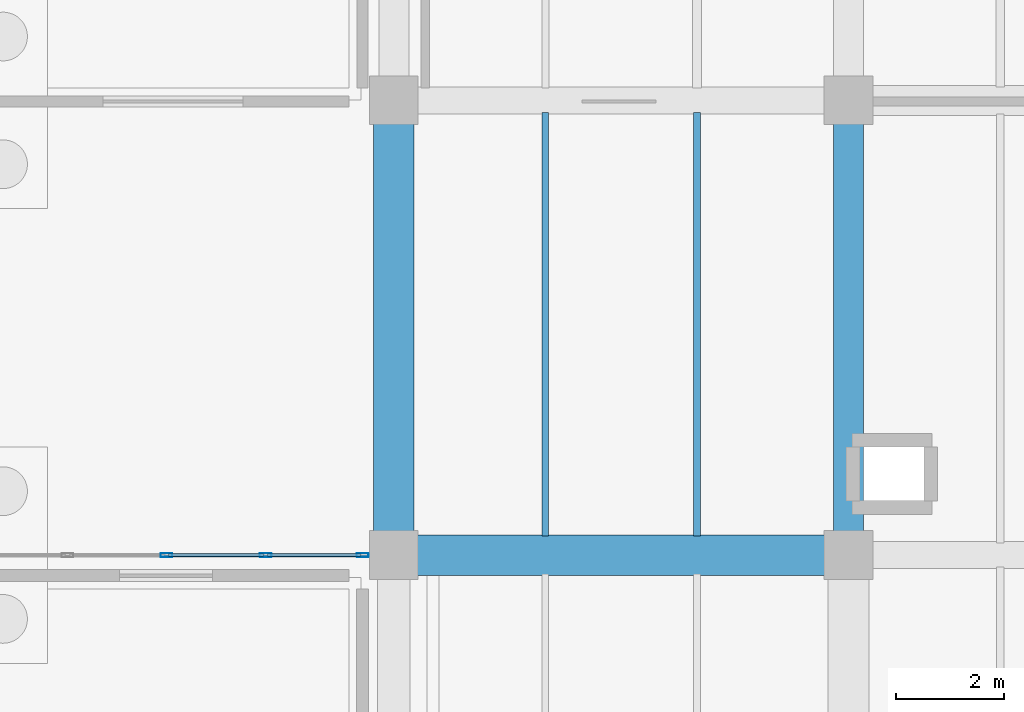
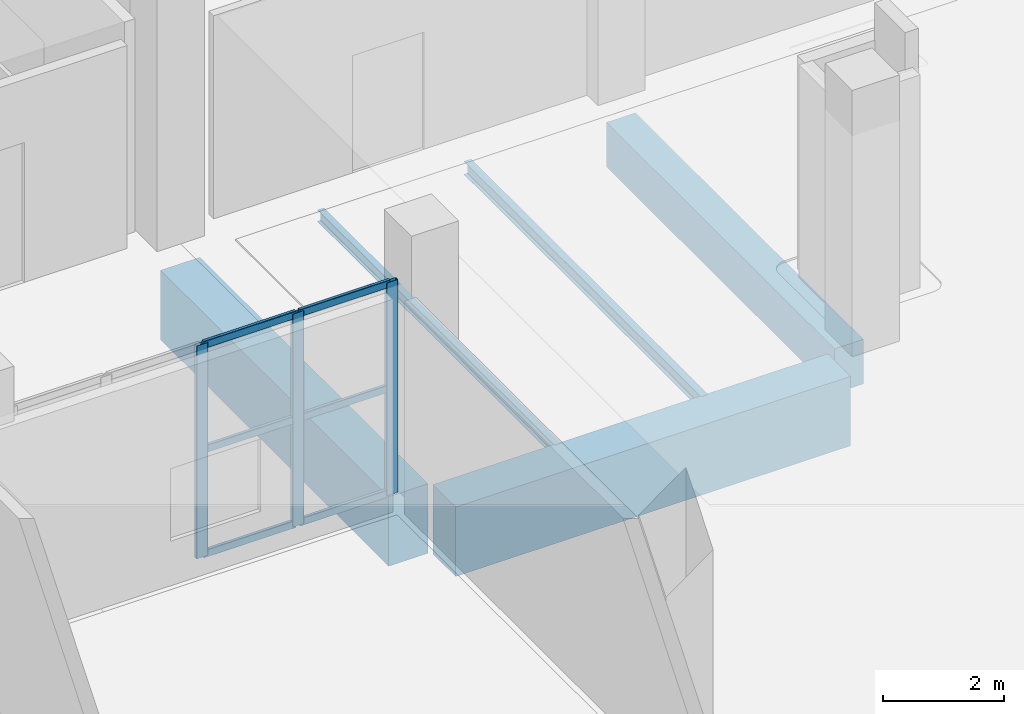
# One storey, part 27 of 65: 9 members, 5 beams, 1 element without a shape of its own.
"""IFC4 building model written with IfcOpenShell, lengths in metres."""

import ifcopenshell
import ifcopenshell.guid

model = None  # the IFC model being written
_history = None  # IfcOwnerHistory: only IFC2X3 demands one
_inside = {}  # id of a spatial element -> (the spatial element, [elements in it])
_under = {}  # id of a project, library or spatial element -> (it, [spatial elements below it])
_declared = {}  # id of a project -> (the project, [libraries it declares])
_typed = {}  # id of a type object -> (the type object, [elements of that type])
_made_of = {}  # id of a material, layer set ... -> (it, [elements and type objects made of it])


def new_model(schema):
    """Start an empty IFC model of exactly this schema.

    Asked for "IFC4X3", IfcOpenShell would pick the latest addendum, in which some entities
    have other attributes; the version numbers below select the first issue.
    IFC2X3 requires an IfcOwnerHistory on every rooted entity: one is made here for all.
    """
    global model, _history
    if schema == "IFC4X3":
        model = ifcopenshell.file(schema_version=(4, 3, 0, 0))
    else:
        model = ifcopenshell.file(schema=schema)
    _inside.clear()
    _under.clear()
    _declared.clear()
    _typed.clear()
    _made_of.clear()
    _history = None
    if model.schema == "IFC2X3":
        org = make("IfcOrganization", Name="unknown")
        user = make(
            "IfcPersonAndOrganization",
            ThePerson=make("IfcPerson", FamilyName="unknown"),
            TheOrganization=org,
        )
        app = make(
            "IfcApplication",
            ApplicationDeveloper=org,
            Version="unknown",
            ApplicationFullName="unknown",
            ApplicationIdentifier="unknown",
        )
        _history = make(
            "IfcOwnerHistory",
            OwningUser=user,
            OwningApplication=app,
            ChangeAction="ADDED",
            CreationDate=0,
        )
    return model


def make(cls, **values):
    """One entity of the class cls with the attributes given. An attribute that is None is left unset."""
    return model.create_entity(
        cls, **{name: value for name, value in values.items() if value is not None}
    )


def rooted(cls, **values):
    """An entity with a GlobalId (a new one), such as an element, a storey or a relation."""
    return make(cls, GlobalId=ifcopenshell.guid.new(), OwnerHistory=_history, **values)


def si_unit(unit_type, name, prefix=None):
    """IfcSIUnit, for example si_unit("LENGTHUNIT", "METRE", prefix="MILLI")."""
    return make("IfcSIUnit", UnitType=unit_type, Prefix=prefix, Name=name)


def assignment(units):
    """IfcUnitAssignment: the units of a project."""
    return None if units is None else make("IfcUnitAssignment", Units=units)


def point(xyz):
    """IfcCartesianPoint."""
    return None if xyz is None else make("IfcCartesianPoint", Coordinates=xyz)


def direction(xyz):
    """IfcDirection."""
    return None if xyz is None else make("IfcDirection", DirectionRatios=xyz)


def frame(location, z_axis=None, x_axis=None):
    """IfcAxis2Placement3D, a coordinate frame: its origin and axes. An axis left out is left unset."""
    return make(
        "IfcAxis2Placement3D",
        Location=point(location),
        Axis=direction(z_axis),
        RefDirection=direction(x_axis),
    )


def frame_2d(location, x_axis=None):
    """IfcAxis2Placement2D, a coordinate frame in the plane: its origin and x axis."""
    return make(
        "IfcAxis2Placement2D", Location=point(location), RefDirection=direction(x_axis)
    )


def origin():
    """The frame at (0, 0, 0) with its axes left unset."""
    return frame((0.0, 0.0, 0.0))


def origin_2d():
    """The frame at (0, 0) in the plane with its x axis left unset."""
    return frame_2d((0.0, 0.0))


def place(relative_to, where):
    """IfcLocalPlacement: puts the frame where relative to a parent placement (None: the world)."""
    return make(
        "IfcLocalPlacement", PlacementRelTo=relative_to, RelativePlacement=where
    )


def context(
    kind, dimensions, precision=None, world=None, true_north=None, identifier=None
):
    """IfcGeometricRepresentationContext, for example the 3D "Model" context."""
    return make(
        "IfcGeometricRepresentationContext",
        ContextIdentifier=identifier,
        ContextType=kind,
        CoordinateSpaceDimension=dimensions,
        Precision=precision,
        WorldCoordinateSystem=world,
        TrueNorth=true_north,
    )


def subcontext(parent, identifier, kind, view, scale=None):
    """IfcGeometricRepresentationSubContext, for example "Body" below "Model"."""
    return make(
        "IfcGeometricRepresentationSubContext",
        ContextIdentifier=identifier,
        ContextType=kind,
        ParentContext=parent,
        TargetScale=scale,
        TargetView=view,
    )


def project(units=None, contexts=None):
    """IfcProject with its units and contexts."""
    return rooted(
        "IfcProject",
        Name="project",
        RepresentationContexts=contexts,
        UnitsInContext=assignment(units),
    )


def spatial(cls, under=None, at=None, **own):
    """A site, building, storey or space (cls), placed at a placement, below another one or the project."""
    s = rooted(cls, ObjectPlacement=at, **own)
    if under is not None:
        _under.setdefault(under.id(), (under, []))[1].append(s)
    return s


def profile(cls, at=None, kind="AREA", **sizes):
    """A parametric profile (cls). Its sizes go by their IFC names, for example OverallWidth=200.0."""
    return make(cls, ProfileType=kind, Position=at, **sizes)


def rectangle(**sizes):
    """IfcRectangleProfileDef."""
    return profile("IfcRectangleProfileDef", **sizes)


def hollow_rectangle(**sizes):
    """IfcRectangleHollowProfileDef."""
    return profile("IfcRectangleHollowProfileDef", **sizes)


def i_section(**sizes):
    """IfcIShapeProfileDef."""
    return profile("IfcIShapeProfileDef", **sizes)


def extrude(swept, where, along, depth):
    """IfcExtrudedAreaSolid: the profile swept, set in the frame where, extruded along a direction by depth."""
    return make(
        "IfcExtrudedAreaSolid",
        SweptArea=swept,
        Position=where,
        ExtrudedDirection=direction(along),
        Depth=depth,
    )


def shape(context_of_items, identifier, shape_type, items):
    """IfcShapeRepresentation: the items that make up one representation, for example the "Body"."""
    return make(
        "IfcShapeRepresentation",
        ContextOfItems=context_of_items,
        RepresentationIdentifier=identifier,
        RepresentationType=shape_type,
        Items=items,
    )


def material(Name=None, Category=None):
    """IfcMaterial."""
    return make("IfcMaterial", Name=Name, Category=Category)


def layer(
    of_material, thickness, ventilated=None, Name=None, Category=None, Priority=None
):
    """IfcMaterialLayer: one layer of a wall or slab, of a material (None: an air gap)."""
    return make(
        "IfcMaterialLayer",
        Material=of_material,
        LayerThickness=thickness,
        IsVentilated=ventilated,
        Name=Name,
        Category=Category,
        Priority=Priority,
    )


def layer_set(layers, Name=None):
    """IfcMaterialLayerSet."""
    return make("IfcMaterialLayerSet", MaterialLayers=layers, LayerSetName=Name)


def material_profile(
    of_material, cross_section, Name=None, Category=None, Priority=None
):
    """IfcMaterialProfile: a cross section and its material."""
    return make(
        "IfcMaterialProfile",
        Name=Name,
        Material=of_material,
        Profile=cross_section,
        Priority=Priority,
        Category=Category,
    )


def profile_set(profiles, Name=None, composite=None):
    """IfcMaterialProfileSet."""
    return make(
        "IfcMaterialProfileSet",
        Name=Name,
        MaterialProfiles=profiles,
        CompositeProfile=composite,
    )


def made_of(thing, what):
    """Note that an element or type object is made of a material, layer set ...; save() writes the relation."""
    if what is not None:
        _made_of.setdefault(what.id(), (what, []))[1].append(thing)
    return thing


def type_object(cls, material=None, **own):
    """A type object (cls), such as IfcWallType, which elements share."""
    return made_of(rooted(cls, **own), material)


def element(
    cls,
    number,
    at=None,
    inside=None,
    cuts=None,
    type_object=None,
    material=None,
    context=None,
    identifier="Body",
    shape_type=None,
    held_by="IfcProductDefinitionShape",
    body=None,
    shapes=None,
    **own,
):
    """One element of the class cls, such as IfcWall. Its Tag is "e" and its number.

    at: its placement. inside: the storey or other place that contains it. cuts: it is an
    opening in that element (IfcRelVoidsElement). A single representation is given by context,
    identifier, shape_type and body (its items); several are given by shapes. held_by: the class
    of the entity that holds the representations. save() writes the other relations.
    """
    e = rooted(cls, Tag="e%d" % number, ObjectPlacement=at, **own)
    if body is not None:
        shapes = [shape(context, identifier, shape_type, body)]
    if shapes is not None:
        e.Representation = make(held_by, Representations=shapes)
    if inside is not None:
        _inside.setdefault(inside.id(), (inside, []))[1].append(e)
    if cuts is not None:
        rooted(
            "IfcRelVoidsElement", RelatingBuildingElement=cuts, RelatedOpeningElement=e
        )
    if type_object is not None:
        _typed.setdefault(type_object.id(), (type_object, []))[1].append(e)
    return made_of(e, material)


def aggregate(whole, parts):
    """IfcRelAggregates: a whole, such as a stair, and the parts it consists of."""
    return rooted("IfcRelAggregates", RelatingObject=whole, RelatedObjects=parts)


def save(model, path):
    """Write the relations noted so far, then the file.

    IfcRelAggregates (storeys below a building ...), IfcRelContainedInSpatialStructure (elements
    in a storey), IfcRelDefinesByType, IfcRelAssociatesMaterial and IfcRelDeclares: one each for
    every whole, place, type object, material and project.
    """
    for whole, parts in _under.values():
        aggregate(whole, parts)
    for where, things in _inside.values():
        rooted(
            "IfcRelContainedInSpatialStructure",
            RelatedElements=things,
            RelatingStructure=where,
        )
    for kind, things in _typed.values():
        rooted("IfcRelDefinesByType", RelatedObjects=things, RelatingType=kind)
    for what, things in _made_of.values():
        rooted("IfcRelAssociatesMaterial", RelatedObjects=things, RelatingMaterial=what)
    for by, libraries in _declared.values():
        rooted("IfcRelDeclares", RelatingContext=by, RelatedDefinitions=libraries)
    model.write(path)


model = new_model("IFC4")

# Units and contexts
model_context = context("Model", 3, precision=1e-05, world=origin(), true_north=direction((0.0, 1.0)))
body_context = subcontext(model_context, "Body", "Model", "MODEL_VIEW")
ifc_project = project(units=[si_unit("LENGTHUNIT", "METRE"), si_unit("AREAUNIT", "SQUARE_METRE"), si_unit("VOLUMEUNIT", "CUBIC_METRE"), si_unit("PLANEANGLEUNIT", "RADIAN"), si_unit("MASSUNIT", "GRAM", prefix="KILO")], contexts=[model_context])

# Site, building, storey
site_placement = place(None, origin())
site = spatial("IfcSite", under=ifc_project, at=site_placement, CompositionType="ELEMENT")
building_placement = place(site_placement, origin())
building = spatial("IfcBuilding", under=site, at=building_placement, Name="Zulmaris Art Gallery", CompositionType="ELEMENT")
storey_placement = place(building_placement, origin())
storey = spatial("IfcBuildingStorey", under=building, at=storey_placement, Name="L00", CompositionType="ELEMENT", Elevation=0.0)

# Beams
ifc_material_1 = material(Name="Concrete C40/50", Category="concrete")
ifc_material_profile_1 = material_profile(ifc_material_1, rectangle(XDim=0.550048828125, YDim=0.89990234375, at=origin_2d()), Name="RC 550x900")
ifc_profile_set_1 = profile_set([ifc_material_profile_1], Name="Concrete C40/50")
beam_type_1 = type_object("IfcBeamType", Name="BEAM-BM21", PredefinedType="BEAM", material=ifc_profile_set_1)
beam_1_placement = place(storey_placement, frame((150.0, 59.235107421875, -0.85498046875), z_axis=(0.0, 1.0, 0.0), x_axis=(-1.0, 0.0, 0.0)))
element("IfcBeam", 1, at=beam_1_placement, inside=storey, type_object=beam_type_1, Name="L00 Y-girder (x=150.0, 58.8..67.2)", PredefinedType="BEAM", context=body_context, shape_type="SweptSolid", body=[
    extrude(rectangle(XDim=0.550048828125, YDim=0.89990234375, at=origin_2d()), origin(), (0.0, 0.0, 1.0), 7.52978515625),
])
ifc_material_2 = material(Name="Concrete C50/60", Category="concrete")
ifc_material_profile_2 = material_profile(ifc_material_2, rectangle(XDim=0.75, YDim=1.39990234375, at=origin_2d()), Name="RC 750x1400")
ifc_profile_set_2 = profile_set([ifc_material_profile_2], Name="Concrete C50/60")
beam_type_2 = type_object("IfcBeamType", Name="BEAM-BM23", PredefinedType="BEAM", material=ifc_profile_set_2)
beam_2_placement = place(storey_placement, frame((142.034912109375, 58.800048828125, -1.110107421875), z_axis=(1.0, 0.0, 0.0), x_axis=(0.0, 1.0, 0.0)))
element("IfcBeam", 2, at=beam_2_placement, inside=storey, type_object=beam_type_2, Name="L00 X-girder (141.6..150.0, y=58.8)", PredefinedType="BEAM", context=body_context, shape_type="SweptSolid", body=[
    extrude(rectangle(XDim=0.75, YDim=1.39990234375, at=origin_2d()), origin(), (0.0, 0.0, 1.0), 7.530029296875),
])
beam_3_placement = place(storey_placement, frame((141.60009765625, 59.235107421875, -1.110107421875), z_axis=(0.0, 1.0, 0.0), x_axis=(-1.0, 0.0, 0.0)))
element("IfcBeam", 3, at=beam_3_placement, inside=storey, type_object=beam_type_2, Name="L00 Y-girder (x=141.6, 58.8..67.2)", PredefinedType="BEAM", context=body_context, shape_type="SweptSolid", body=[
    extrude(rectangle(XDim=0.75, YDim=1.39990234375, at=origin_2d()), origin(), (0.0, 0.0, 1.0), 7.52978515625),
])
ifc_material_3 = material(Name="Steel S355J2", Category="steel")
ifc_material_profile_3 = material_profile(ifc_material_3, i_section(OverallWidth=0.1201171875, OverallDepth=0.239990234375, WebThickness=0.006103515625, FlangeThickness=0.009765625, FilletRadius=0.014892578125, at=origin_2d()), Name="IPE 240")
ifc_profile_set_3 = profile_set([ifc_material_profile_3], Name="Steel S355J2")
beam_type_3 = type_object("IfcBeamType", Name="BEAM-JS01", PredefinedType="JOIST", material=ifc_profile_set_3)
beam_4_placement = place(storey_placement, frame((144.39990234375, 59.14990234375, -0.530029296875), z_axis=(0.0, 1.0, 0.0), x_axis=(-1.0, 0.0, 0.0)))
element("IfcBeam", 4, at=beam_4_placement, inside=storey, type_object=beam_type_3, Name="L00 secondary joist at x=144.4", PredefinedType="JOIST", context=body_context, shape_type="SweptSolid", body=[
    extrude(i_section(OverallWidth=0.1201171875, OverallDepth=0.239990234375, WebThickness=0.006103515625, FlangeThickness=0.009765625, FilletRadius=0.014892578125, at=origin_2d()), origin(), (0.0, 0.0, 1.0), 7.8251953125),
])
ifc_material_profile_4 = material_profile(ifc_material_3, i_section(OverallWidth=0.135009765625, OverallDepth=0.27001953125, WebThickness=0.006591796875, FlangeThickness=0.01025390625, FilletRadius=0.014892578125, at=origin_2d()), Name="IPE 270")
ifc_profile_set_4 = profile_set([ifc_material_profile_4], Name="Steel S355J2")
beam_type_4 = type_object("IfcBeamType", Name="BEAM-JS02", PredefinedType="JOIST", material=ifc_profile_set_4)
beam_5_placement = place(storey_placement, frame((147.199951171875, 59.14990234375, -0.544921875), z_axis=(0.0, 1.0, 0.0), x_axis=(-1.0, 0.0, 0.0)))
element("IfcBeam", 5, at=beam_5_placement, inside=storey, type_object=beam_type_4, Name="L00 secondary joist at x=147.2", PredefinedType="JOIST", context=body_context, shape_type="SweptSolid", body=[
    extrude(i_section(OverallWidth=0.135009765625, OverallDepth=0.27001953125, WebThickness=0.006591796875, FlangeThickness=0.01025390625, FilletRadius=0.014892578125, at=origin_2d()), origin(), (0.0, 0.0, 1.0), 7.8251953125),
])

# Curtain wall, members
ifc_material_4 = material(Name="Unitised Low-E Gallery Curtain Wall", Category="aluminium")
ifc_layer = layer(ifc_material_4, 0.179931640625)
ifc_layer_set = layer_set([ifc_layer], Name="Unitised Low-E Gallery Curtain Wall")
curtain_wall_type = type_object("IfcCurtainWallType", Name="CW-CW01", PredefinedType="NOTDEFINED", material=ifc_layer_set)
curtain_wall_placement = place(storey_placement, origin())
curtain_wall = element("IfcCurtainWall", 6, at=curtain_wall_placement, inside=storey, type_object=curtain_wall_type, Name="L00 curtain wall 89", PredefinedType="NOTDEFINED")
ifc_material_5 = material(Name="Anodised Bronze Aluminium", Category="aluminium")
ifc_material_profile_5 = material_profile(ifc_material_5, hollow_rectangle(XDim=0.074951171875, YDim=0.219970703125, WallThickness=0.0048828125, InnerFilletRadius=0.007568359375, OuterFilletRadius=0.012451171875, at=origin_2d()), Name="ALU 75x220x5")
ifc_profile_set_5 = profile_set([ifc_material_profile_5], Name="Anodised Bronze Aluminium")
member_type_1 = type_object("IfcMemberType", Name="CWMUL-02", PredefinedType="MULLION", material=ifc_profile_set_5)
member_1_placement = place(storey_placement, frame((137.39990234375, 58.800048828125, 0.0), z_axis=(0.0, 0.0, 1.0), x_axis=(0.0, 1.0, 0.0)))
member_1 = element("IfcMember", 7, at=member_1_placement, type_object=member_type_1, Name="CW01 mullion 3", PredefinedType="MULLION", context=body_context, shape_type="SweptSolid", body=[
    extrude(hollow_rectangle(XDim=0.074951171875, YDim=0.219970703125, WallThickness=0.0048828125, InnerFilletRadius=0.007568359375, OuterFilletRadius=0.012451171875, at=origin_2d()), origin(), (0.0, 0.0, 1.0), 4.2900390625),
])
member_2_placement = place(storey_placement, frame((139.22998046875, 58.800048828125, 0.0), z_axis=(0.0, 0.0, 1.0), x_axis=(0.0, 1.0, 0.0)))
member_2 = element("IfcMember", 8, at=member_2_placement, type_object=member_type_1, Name="CW01 mullion 4", PredefinedType="MULLION", context=body_context, shape_type="SweptSolid", body=[
    extrude(hollow_rectangle(XDim=0.074951171875, YDim=0.219970703125, WallThickness=0.0048828125, InnerFilletRadius=0.007568359375, OuterFilletRadius=0.012451171875, at=origin_2d()), origin(), (0.0, 0.0, 1.0), 4.2900390625),
])
member_3_placement = place(storey_placement, frame((141.0224609375, 58.800048828125, 0.0), z_axis=(0.0, 0.0, 1.0), x_axis=(0.0, 1.0, 0.0)))
member_3 = element("IfcMember", 9, at=member_3_placement, type_object=member_type_1, Name="CW01 mullion 5", PredefinedType="MULLION", context=body_context, shape_type="SweptSolid", body=[
    extrude(hollow_rectangle(XDim=0.074951171875, YDim=0.219970703125, WallThickness=0.0048828125, InnerFilletRadius=0.007568359375, OuterFilletRadius=0.012451171875, at=origin_2d()), origin(), (0.0, 0.0, 1.0), 4.2900390625),
])
ifc_material_profile_6 = material_profile(ifc_material_5, hollow_rectangle(XDim=0.06494140625, YDim=0.14990234375, WallThickness=0.00390625, InnerFilletRadius=0.006103515625, OuterFilletRadius=0.010009765625, at=origin_2d()), Name="ALU 65x150x4")
ifc_profile_set_6 = profile_set([ifc_material_profile_6], Name="Anodised Bronze Aluminium")
member_type_2 = type_object("IfcMemberType", Name="CWTRN-01", PredefinedType="USERDEFINED", material=ifc_profile_set_6)
member_4_placement = place(storey_placement, frame((137.4375, 58.800048828125, 0.03759765625), z_axis=(1.0, 0.0, 0.0), x_axis=(0.0, 1.0, 0.0)))
member_4 = element("IfcMember", 10, at=member_4_placement, type_object=member_type_2, Name="CW01 transom 3.1", ObjectType="TRANSOM", PredefinedType="USERDEFINED", context=body_context, shape_type="SweptSolid", body=[
    extrude(hollow_rectangle(XDim=0.06494140625, YDim=0.14990234375, WallThickness=0.00390625, InnerFilletRadius=0.006103515625, OuterFilletRadius=0.010009765625, at=origin_2d()), origin(), (0.0, 0.0, 1.0), 1.7548828125),
])
member_5_placement = place(storey_placement, frame((137.4375, 58.800048828125, 2.14501953125), z_axis=(1.0, 0.0, 0.0), x_axis=(0.0, 1.0, 0.0)))
member_5 = element("IfcMember", 11, at=member_5_placement, type_object=member_type_2, Name="CW01 transom 3.2", ObjectType="TRANSOM", PredefinedType="USERDEFINED", context=body_context, shape_type="SweptSolid", body=[
    extrude(hollow_rectangle(XDim=0.06494140625, YDim=0.14990234375, WallThickness=0.00390625, InnerFilletRadius=0.006103515625, OuterFilletRadius=0.010009765625, at=origin_2d()), origin(), (0.0, 0.0, 1.0), 1.7548828125),
])
member_6_placement = place(storey_placement, frame((137.4375, 58.800048828125, 4.25244140625), z_axis=(1.0, 0.0, 0.0), x_axis=(0.0, 1.0, 0.0)))
member_6 = element("IfcMember", 12, at=member_6_placement, type_object=member_type_2, Name="CW01 transom 3.3", ObjectType="TRANSOM", PredefinedType="USERDEFINED", context=body_context, shape_type="SweptSolid", body=[
    extrude(hollow_rectangle(XDim=0.06494140625, YDim=0.14990234375, WallThickness=0.00390625, InnerFilletRadius=0.006103515625, OuterFilletRadius=0.010009765625, at=origin_2d()), origin(), (0.0, 0.0, 1.0), 1.7548828125),
])
member_7_placement = place(storey_placement, frame((139.267578125, 58.800048828125, 0.03759765625), z_axis=(1.0, 0.0, 0.0), x_axis=(0.0, 1.0, 0.0)))
member_7 = element("IfcMember", 13, at=member_7_placement, type_object=member_type_2, Name="CW01 transom 4.1", ObjectType="TRANSOM", PredefinedType="USERDEFINED", context=body_context, shape_type="SweptSolid", body=[
    extrude(hollow_rectangle(XDim=0.06494140625, YDim=0.14990234375, WallThickness=0.00390625, InnerFilletRadius=0.006103515625, OuterFilletRadius=0.010009765625, at=origin_2d()), origin(), (0.0, 0.0, 1.0), 1.717529296875),
])
member_8_placement = place(storey_placement, frame((139.267578125, 58.800048828125, 2.14501953125), z_axis=(1.0, 0.0, 0.0), x_axis=(0.0, 1.0, 0.0)))
member_8 = element("IfcMember", 14, at=member_8_placement, type_object=member_type_2, Name="CW01 transom 4.2", ObjectType="TRANSOM", PredefinedType="USERDEFINED", context=body_context, shape_type="SweptSolid", body=[
    extrude(hollow_rectangle(XDim=0.06494140625, YDim=0.14990234375, WallThickness=0.00390625, InnerFilletRadius=0.006103515625, OuterFilletRadius=0.010009765625, at=origin_2d()), origin(), (0.0, 0.0, 1.0), 1.717529296875),
])
member_9_placement = place(storey_placement, frame((139.267578125, 58.800048828125, 4.25244140625), z_axis=(1.0, 0.0, 0.0), x_axis=(0.0, 1.0, 0.0)))
member_9 = element("IfcMember", 15, at=member_9_placement, type_object=member_type_2, Name="CW01 transom 4.3", ObjectType="TRANSOM", PredefinedType="USERDEFINED", context=body_context, shape_type="SweptSolid", body=[
    extrude(hollow_rectangle(XDim=0.06494140625, YDim=0.14990234375, WallThickness=0.00390625, InnerFilletRadius=0.006103515625, OuterFilletRadius=0.010009765625, at=origin_2d()), origin(), (0.0, 0.0, 1.0), 1.717529296875),
])
aggregate(curtain_wall, [member_1, member_2, member_3, member_4, member_5, member_6, member_7, member_8, member_9])

save(model, "model.ifc")
